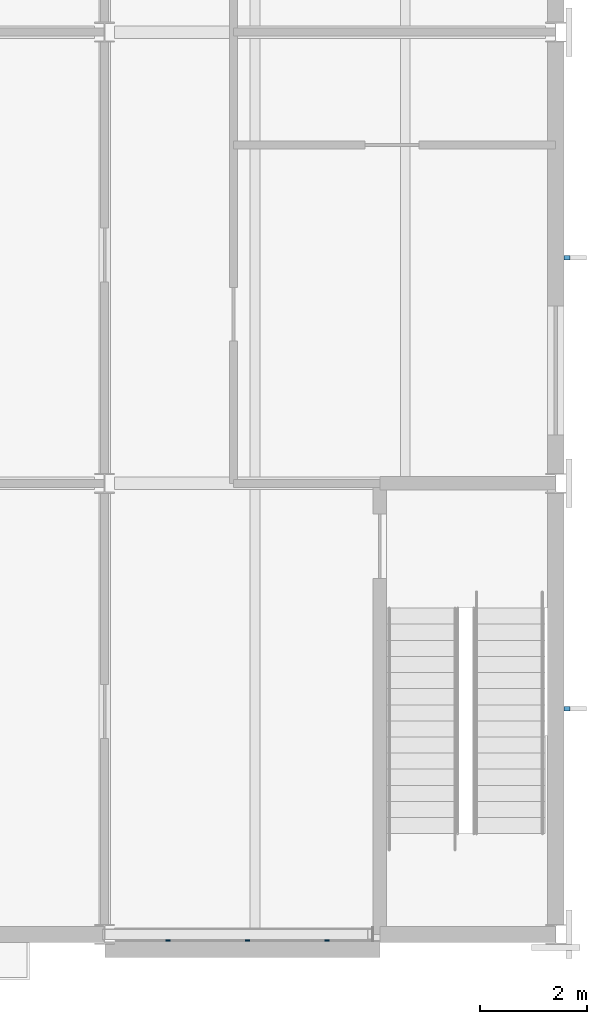
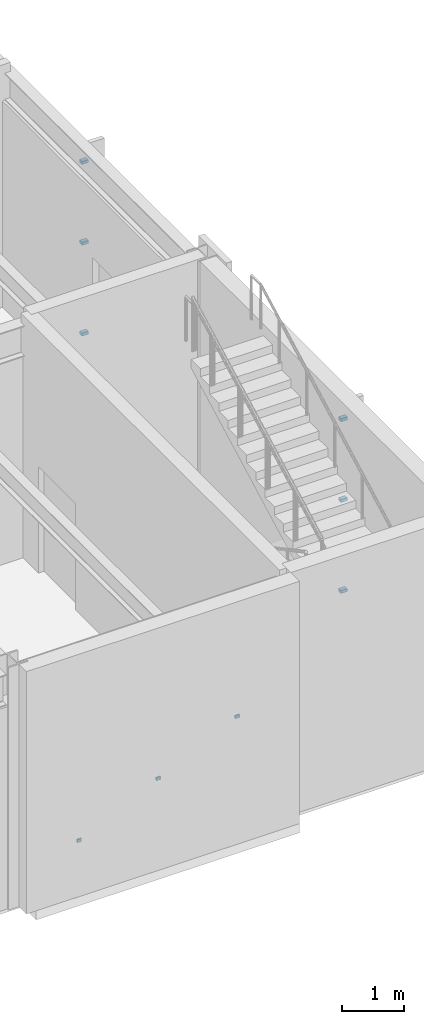
# One storey, part 93 of 127: 9 discrete accessories.
"""IFC4 building model written with IfcOpenShell, lengths in metres."""

from ifc_helpers import new_model, si_unit, direction, frame, origin, origin_2d, place, context, subcontext, project, spatial, rectangle, extrude, material, type_object, element, save


model = new_model("IFC4")

# Units and contexts
model_context = context("Model", 3, precision=1e-05, world=origin(), true_north=direction((0.0, 1.0)))
body_context = subcontext(model_context, "Body", "Model", "MODEL_VIEW")
ifc_project = project(units=[si_unit("LENGTHUNIT", "METRE"), si_unit("AREAUNIT", "SQUARE_METRE"), si_unit("VOLUMEUNIT", "CUBIC_METRE"), si_unit("PLANEANGLEUNIT", "RADIAN"), si_unit("MASSUNIT", "GRAM", prefix="KILO")], contexts=[model_context])

# Site, building, storey
site_placement = place(None, origin())
site = spatial("IfcSite", under=ifc_project, at=site_placement, CompositionType="ELEMENT")
building_placement = place(site_placement, origin())
building = spatial("IfcBuilding", under=site, at=building_placement, Name="Ljudholm Concert House", CompositionType="ELEMENT")
storey_placement = place(building_placement, frame((0.0, 0.0, 5.39990234375)))
storey = spatial("IfcBuildingStorey", under=building, at=storey_placement, Name="L01", CompositionType="ELEMENT", Elevation=5.39990234375)

# Discrete accessories
ifc_material_1 = material(Name="Stainless steel bracket", Category="steel")
discrete_accessory_type_1 = type_object("IfcDiscreteAccessoryType", Name="BRACKET 120", PredefinedType="BRACKET", material=ifc_material_1)
for number, where, z_axis, x_axis, name in (
    (1, (121.81005859375, 8.199951171875, 0.570068359375), (0.0, 0.0, 1.0), (1.0, 0.0, 0.0), "Fin bracket"),
    (2, (121.81005859375, 8.199951171875, 2.3701171875), (0.0, 0.0, 1.0), (1.0, 0.0, 0.0), "Fin bracket"),
    (3, (121.81005859375, 8.199951171875, 3.969970703125), (0.0, 0.0, 1.0), (1.0, 0.0, 0.0), "Fin bracket"),
    (4, (121.81005859375, 16.60009765625, 0.570068359375), (0.0, 0.0, 1.0), (1.0, 0.0, 0.0), "Fin bracket"),
    (5, (121.81005859375, 16.60009765625, 2.3701171875), (0.0, 0.0, 1.0), (1.0, 0.0, 0.0), "Fin bracket"),
    (6, (121.81005859375, 16.60009765625, 3.969970703125), (0.0, 0.0, 1.0), (1.0, 0.0, 0.0), "Fin bracket"),
):
    element("IfcDiscreteAccessory", number, at=place(storey_placement, frame(where, z_axis=z_axis, x_axis=x_axis)), inside=storey, type_object=discrete_accessory_type_1, Name=name, PredefinedType="BRACKET", context=body_context, shape_type="SweptSolid", body=[
        extrude(rectangle(XDim=0.1201171875, YDim=0.080078125, at=origin_2d()), origin(), (0.0, 0.0, 1.0), 0.06005859375),
    ])
ifc_material_2 = material(Name="Stainless steel bracket", Category="steel")
discrete_accessory_type_2 = type_object("IfcDiscreteAccessoryType", Name="PANEL BRACKET EXTERNAL", PredefinedType="BRACKET", material=ifc_material_2)
for number, where, z_axis, x_axis, name in (
    (7, (114.376953125, 3.884521484375, 0.833251953125), (0.0, 0.0, 1.0), (0.0, -1.0, 0.0), "Panel bracket"),
    (8, (115.857421875, 3.884521484375, 1.5419921875), (0.0, 0.0, 1.0), (0.0, -1.0, 0.0), "Panel bracket"),
    (9, (117.337890625, 3.884521484375, 2.25048828125), (0.0, 0.0, 1.0), (0.0, -1.0, 0.0), "Panel bracket"),
):
    element("IfcDiscreteAccessory", number, at=place(storey_placement, frame(where, z_axis=z_axis, x_axis=x_axis)), inside=storey, type_object=discrete_accessory_type_2, Name=name, PredefinedType="BRACKET", context=body_context, shape_type="SweptSolid", body=[
        extrude(rectangle(XDim=0.028076171875, YDim=0.080078125, at=origin_2d()), origin(), (0.0, 0.0, 1.0), 0.06005859375),
    ])

save(model, "model.ifc")
